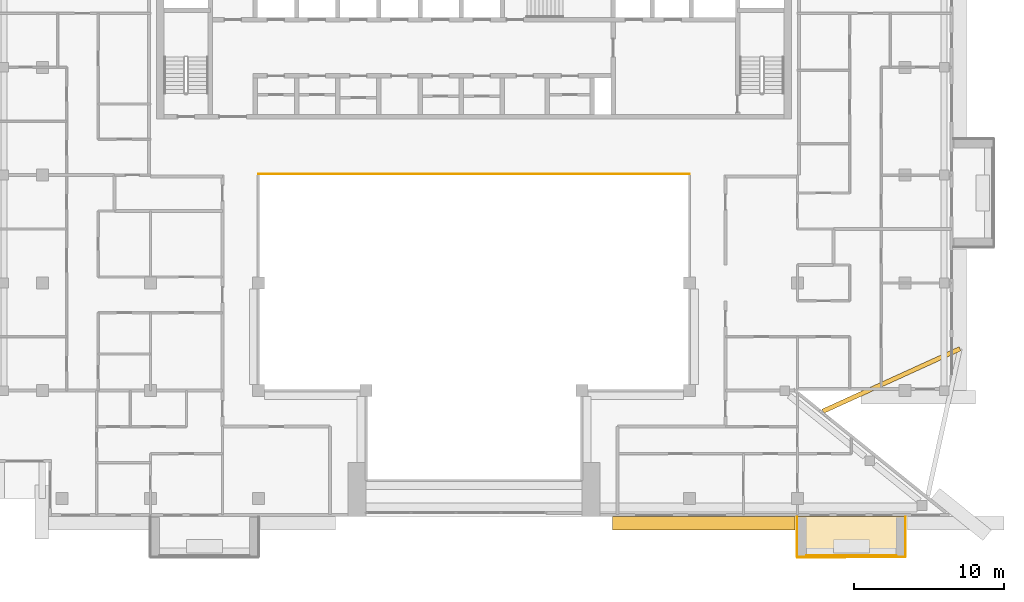
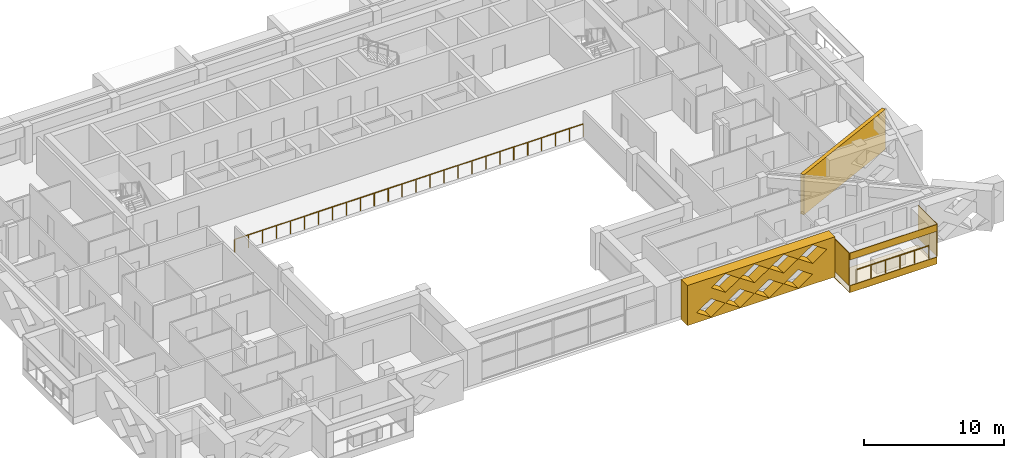
# One storey, part 15 of 19: 7 coverings, 2 railings.
"""IFC4 building model written with IfcOpenShell, lengths in metres."""

from ifc_helpers import new_model, si_unit, direction, frame, origin, origin_2d, place, context, subcontext, project, spatial, polyline, circle, outline, extrude, material, layer, layer_set, type_object, element, save


model = new_model("IFC4")

# Units and contexts
model_context = context("Model", 3, precision=1e-05, world=origin(), true_north=direction((0.0, 1.0)))
body_context = subcontext(model_context, "Body", "Model", "MODEL_VIEW")
ifc_project = project(units=[si_unit("LENGTHUNIT", "METRE"), si_unit("AREAUNIT", "SQUARE_METRE"), si_unit("VOLUMEUNIT", "CUBIC_METRE"), si_unit("PLANEANGLEUNIT", "RADIAN"), si_unit("MASSUNIT", "GRAM", prefix="KILO")], contexts=[model_context])

# Site, building, storey
site_placement = place(None, origin())
site = spatial("IfcSite", under=ifc_project, at=site_placement, CompositionType="ELEMENT")
building_placement = place(site_placement, origin())
building = spatial("IfcBuilding", under=site, at=building_placement, Name="Saffron Iwan Residences", CompositionType="ELEMENT")
storey_placement = place(building_placement, frame((0.0, 0.0, 243.0)))
storey = spatial("IfcBuildingStorey", under=building, at=storey_placement, Name="L65", CompositionType="ELEMENT", Elevation=243.0)

# Railings
ifc_material_1 = material(Name="Stainless steel 316", Category="steel")
railing_type_1 = type_object("IfcRailingType", Name="Atrium guard 1150", PredefinedType="GUARDRAIL", material=ifc_material_1)
railing_1_placement = place(storey_placement, frame((36.0, 62.47509765625, 0.0)))
element("IfcRailing", 1, at=railing_1_placement, inside=storey, type_object=railing_type_1, Name="Atrium guard L65", PredefinedType="GUARDRAIL", context=body_context, shape_type="SweptSolid", body=[
    extrude(circle(Radius=0.02392578125, at=origin_2d()), frame((0.0, 0.0, 1.1259765625), z_axis=(1.0, 0.0, 0.0), x_axis=(0.0, 1.0, 0.0)), (0.0, 0.0, 1.0), 28.800048828125),
    extrude(circle(Radius=0.02099609375, at=origin_2d()), origin(), (0.0, 0.0, 1.0), 1.101806640625),
    extrude(circle(Radius=0.02099609375, at=origin_2d()), frame((1.152099609375, 0.0, 0.0)), (0.0, 0.0, 1.0), 1.101806640625),
    extrude(circle(Radius=0.02099609375, at=origin_2d()), frame((2.303955078125, 0.0, 0.0)), (0.0, 0.0, 1.0), 1.101806640625),
    extrude(circle(Radius=0.02099609375, at=origin_2d()), frame((3.4560546875, 0.0, 0.0)), (0.0, 0.0, 1.0), 1.101806640625),
    extrude(circle(Radius=0.02099609375, at=origin_2d()), frame((4.60791015625, 0.0, 0.0)), (0.0, 0.0, 1.0), 1.101806640625),
    extrude(circle(Radius=0.02099609375, at=origin_2d()), frame((5.760009765625, 0.0, 0.0)), (0.0, 0.0, 1.0), 1.101806640625),
    extrude(circle(Radius=0.02099609375, at=origin_2d()), frame((6.912109375, 0.0, 0.0)), (0.0, 0.0, 1.0), 1.101806640625),
    extrude(circle(Radius=0.02099609375, at=origin_2d()), frame((8.06396484375, 0.0, 0.0)), (0.0, 0.0, 1.0), 1.101806640625),
    extrude(circle(Radius=0.02099609375, at=origin_2d()), frame((9.216064453125, 0.0, 0.0)), (0.0, 0.0, 1.0), 1.101806640625),
    extrude(circle(Radius=0.02099609375, at=origin_2d()), frame((10.367919921875, 0.0, 0.0)), (0.0, 0.0, 1.0), 1.101806640625),
    extrude(circle(Radius=0.02099609375, at=origin_2d()), frame((11.52001953125, 0.0, 0.0)), (0.0, 0.0, 1.0), 1.101806640625),
    extrude(circle(Radius=0.02099609375, at=origin_2d()), frame((12.672119140625, 0.0, 0.0)), (0.0, 0.0, 1.0), 1.101806640625),
    extrude(circle(Radius=0.02099609375, at=origin_2d()), frame((13.823974609375, 0.0, 0.0)), (0.0, 0.0, 1.0), 1.101806640625),
    extrude(circle(Radius=0.02099609375, at=origin_2d()), frame((14.97607421875, 0.0, 0.0)), (0.0, 0.0, 1.0), 1.101806640625),
    extrude(circle(Radius=0.02099609375, at=origin_2d()), frame((16.1279296875, 0.0, 0.0)), (0.0, 0.0, 1.0), 1.101806640625),
    extrude(circle(Radius=0.02099609375, at=origin_2d()), frame((17.280029296875, 0.0, 0.0)), (0.0, 0.0, 1.0), 1.101806640625),
    extrude(circle(Radius=0.02099609375, at=origin_2d()), frame((18.43212890625, 0.0, 0.0)), (0.0, 0.0, 1.0), 1.101806640625),
    extrude(circle(Radius=0.02099609375, at=origin_2d()), frame((19.583984375, 0.0, 0.0)), (0.0, 0.0, 1.0), 1.101806640625),
    extrude(circle(Radius=0.02099609375, at=origin_2d()), frame((20.736083984375, 0.0, 0.0)), (0.0, 0.0, 1.0), 1.101806640625),
    extrude(circle(Radius=0.02099609375, at=origin_2d()), frame((21.887939453125, 0.0, 0.0)), (0.0, 0.0, 1.0), 1.101806640625),
    extrude(circle(Radius=0.02099609375, at=origin_2d()), frame((23.0400390625, 0.0, 0.0)), (0.0, 0.0, 1.0), 1.101806640625),
    extrude(circle(Radius=0.02099609375, at=origin_2d()), frame((24.192138671875, 0.0, 0.0)), (0.0, 0.0, 1.0), 1.101806640625),
    extrude(circle(Radius=0.02099609375, at=origin_2d()), frame((25.343994140625, 0.0, 0.0)), (0.0, 0.0, 1.0), 1.101806640625),
    extrude(circle(Radius=0.02099609375, at=origin_2d()), frame((26.49609375, 0.0, 0.0)), (0.0, 0.0, 1.0), 1.101806640625),
    extrude(circle(Radius=0.02099609375, at=origin_2d()), frame((27.64794921875, 0.0, 0.0)), (0.0, 0.0, 1.0), 1.101806640625),
    extrude(circle(Radius=0.02099609375, at=origin_2d()), frame((28.800048828125, 0.0, 0.0)), (0.0, 0.0, 1.0), 1.101806640625),
])
railing_type_2 = type_object("IfcRailingType", Name="BALCONY GUARD 1150", PredefinedType="GUARDRAIL", material=ifc_material_1)
railing_2_placement = place(storey_placement, frame((72.60009765625, 36.97509765625, 0.0)))
element("IfcRailing", 2, at=railing_2_placement, inside=storey, type_object=railing_type_2, Name="Balcony guard L65 11-1", PredefinedType="GUARDRAIL", context=body_context, shape_type="SweptSolid", body=[
    extrude(circle(Radius=0.02392578125, at=origin_2d()), frame((0.0, 0.0, 1.1259765625), z_axis=(1.0, 0.0, 0.0), x_axis=(0.0, 1.0, 0.0)), (0.0, 0.0, 1.0), 6.0),
    extrude(circle(Radius=0.02099609375, at=origin_2d()), origin(), (0.0, 0.0, 1.0), 1.101806640625),
    extrude(circle(Radius=0.02099609375, at=origin_2d()), frame((1.199951171875, 0.0, 0.0)), (0.0, 0.0, 1.0), 1.101806640625),
    extrude(circle(Radius=0.02099609375, at=origin_2d()), frame((2.39990234375, 0.0, 0.0)), (0.0, 0.0, 1.0), 1.101806640625),
    extrude(circle(Radius=0.02099609375, at=origin_2d()), frame((3.60009765625, 0.0, 0.0)), (0.0, 0.0, 1.0), 1.101806640625),
    extrude(circle(Radius=0.02099609375, at=origin_2d()), frame((4.800048828125, 0.0, 0.0)), (0.0, 0.0, 1.0), 1.101806640625),
    extrude(circle(Radius=0.02099609375, at=origin_2d()), frame((6.0, 0.0, 0.0)), (0.0, 0.0, 1.0), 1.101806640625),
])

# Coverings
ifc_material_2 = material(Name="Precast concrete C40/50 white painted", Category="concrete")
ifc_layer_1 = layer(ifc_material_2, 0.050048828125)
ifc_layer_set_1 = layer_set([ifc_layer_1], Name="Precast concrete C40/50 white painted")
covering_type_1 = type_object("IfcCoveringType", Name="FRAME SKIN PRECAST WHITE 50", PredefinedType="CLADDING", material=ifc_layer_set_1)
for number, where, name in (
    (3, (0.0, 0.0, -0.60009765625), "Frame skin slab edge L65 11-1"),
    (4, (0.0, 0.0, 2.25), "Frame skin fascia L65 11-1"),
):
    element("IfcCovering", number, at=place(storey_placement, frame(where)), inside=storey, type_object=covering_type_1, Name=name, PredefinedType="CLADDING", context=body_context, shape_type="SweptSolid", body=[
        extrude(outline(polyline([(72.0, 36.85009765625), (79.199951171875, 36.85009765625), (79.199951171875, 36.89990234375), (72.0, 36.89990234375), (72.0, 36.85009765625)])), origin(), (0.0, 0.0, 1.0), 0.60009765625),
    ])
covering_1_placement = place(storey_placement, frame((0.0, 0.0, -0.64990234375)))
element("IfcCovering", 5, at=covering_1_placement, inside=storey, type_object=covering_type_1, Name="Frame skin soffit L65 11-1", PredefinedType="CLADDING", context=body_context, shape_type="SweptSolid", body=[
    extrude(outline(polyline([(72.0, 36.89990234375), (79.199951171875, 36.89990234375), (79.199951171875, 39.60009765625), (72.0, 39.60009765625), (72.0, 36.89990234375)])), origin(), (0.0, 0.0, 1.0), 0.0498046875),
])
covering_2_placement = place(storey_placement, origin())
element("IfcCovering", 6, at=covering_2_placement, inside=storey, type_object=covering_type_1, Name="Frame skin fin L65 11-1a", PredefinedType="CLADDING", context=body_context, shape_type="SweptSolid", body=[
    extrude(outline(polyline([(71.949951171875, 36.89990234375), (72.0, 36.89990234375), (72.0, 39.60009765625), (71.949951171875, 39.60009765625), (71.949951171875, 36.89990234375)])), origin(), (0.0, 0.0, 1.0), 2.85009765625),
])
covering_3_placement = place(storey_placement, origin())
element("IfcCovering", 7, at=covering_3_placement, inside=storey, type_object=covering_type_1, Name="Frame skin fin L65 11-1b", PredefinedType="CLADDING", context=body_context, shape_type="SweptSolid", body=[
    extrude(outline(polyline([(79.199951171875, 36.89990234375), (79.25, 36.89990234375), (79.25, 39.60009765625), (79.199951171875, 39.60009765625), (79.199951171875, 36.89990234375)])), origin(), (0.0, 0.0, 1.0), 2.85009765625),
])
ifc_material_3 = material(Name="Precast concrete C40/50", Category="concrete")
covering_type_2 = type_object("IfcCoveringType", Name="OUTER SKIN LATTICE SCREEN", PredefinedType="CLADDING", material=ifc_material_3)
covering_4_placement = place(storey_placement, frame((59.64990234375, 39.60009765625, -0.280029296875), z_axis=(0.0, -1.0, 0.0), x_axis=(1.0, 0.0, 0.0)))
element("IfcCovering", 8, at=covering_4_placement, inside=storey, type_object=covering_type_2, Name="OUTER SKIN lattice screen L65 F11.2", PredefinedType="CLADDING", context=body_context, shape_type="SweptSolid", body=[
    extrude(outline(polyline([(0.0, 0.0), (12.199951171875, 0.0), (12.199951171875, 3.5), (0.0, 3.5), (0.0, 0.0)]), holes=[polyline([(0.77001953125, 0.875), (1.949951171875, 0.06005859375), (3.1298828125, 0.875), (1.949951171875, 1.68994140625), (0.77001953125, 0.875)]), polyline([(3.169921875, 0.875), (4.35009765625, 0.06005859375), (5.530029296875, 0.875), (4.35009765625, 1.68994140625), (3.169921875, 0.875)]), polyline([(5.570068359375, 0.875), (6.75, 0.06005859375), (7.929931640625, 0.875), (6.75, 1.68994140625), (5.570068359375, 0.875)]), polyline([(7.969970703125, 0.875), (9.14990234375, 0.06005859375), (10.330078125, 0.875), (9.14990234375, 1.68994140625), (7.969970703125, 0.875)]), polyline([(1.969970703125, 2.625), (3.14990234375, 1.81005859375), (4.330078125, 2.625), (3.14990234375, 3.43994140625), (1.969970703125, 2.625)]), polyline([(4.3701171875, 2.625), (5.550048828125, 1.81005859375), (6.72998046875, 2.625), (5.550048828125, 3.43994140625), (4.3701171875, 2.625)]), polyline([(6.77001953125, 2.625), (7.949951171875, 1.81005859375), (9.1298828125, 2.625), (7.949951171875, 3.43994140625), (6.77001953125, 2.625)]), polyline([(9.169921875, 2.625), (10.35009765625, 1.81005859375), (11.530029296875, 2.625), (10.35009765625, 3.43994140625), (9.169921875, 2.625)])]), origin(), (0.0, 0.0, 1.0), 0.900146484375),
])
ifc_layer_2 = layer(ifc_material_2, 0.300048828125)
ifc_layer_set_2 = layer_set([ifc_layer_2], Name="Precast concrete C40/50 white painted")
covering_type_3 = type_object("IfcCoveringType", Name="PROW NOSE BLADE PRECAST WHITE", PredefinedType="CLADDING", material=ifc_layer_set_2)
covering_5_placement = place(storey_placement, frame((0.0, 0.0, -0.280029296875)))
element("IfcCovering", 9, at=covering_5_placement, inside=storey, type_object=covering_type_3, Name="Prow nose blade L65 b", PredefinedType="CLADDING", context=body_context, shape_type="SweptSolid", body=[
    extrude(outline(polyline([(73.761474609375, 46.490966796875), (82.917236328125, 50.6650390625), (82.792724609375, 50.93798828125), (73.636962890625, 46.763916015625), (73.761474609375, 46.490966796875)])), origin(), (0.0, 0.0, 1.0), 3.5),
])

save(model, "model.ifc")
